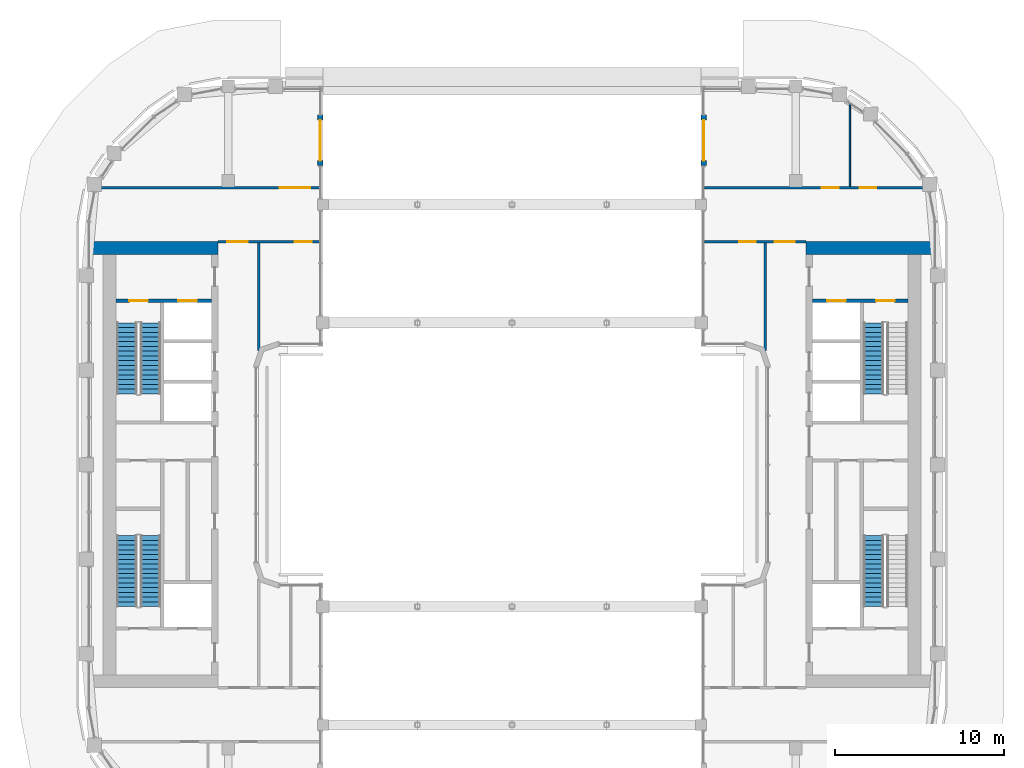
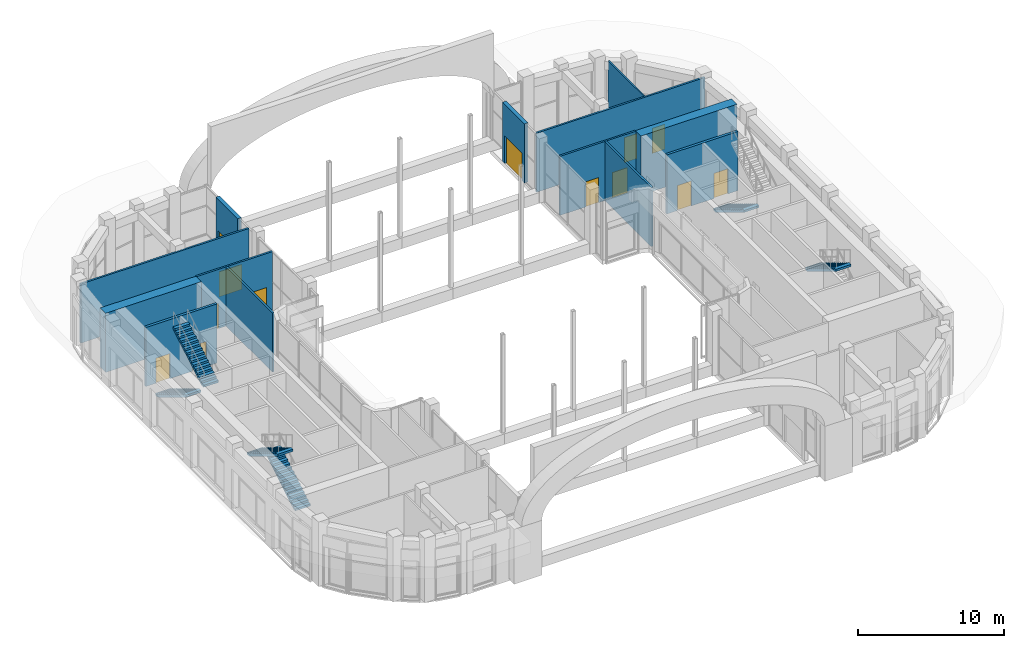
# One storey, part 16 of 26: 13 doors, 13 walls, 6 stair flights, 13 openings, 4 elements without a shape of their own.
"""IFC4 building model written with IfcOpenShell, lengths in metres."""

from ifc_helpers import new_model, si_unit, direction, frame, frame_2d, origin, place, context, subcontext, project, spatial, polyline, rectangle, outline, extrude, material, layer, layer_set, type_object, element, fill, aggregate, save


model = new_model("IFC4")

# Units and contexts
model_context = context("Model", 3, precision=1e-05, world=origin(), true_north=direction((0.0, 1.0)))
body_context = subcontext(model_context, "Body", "Model", "MODEL_VIEW")
ifc_project = project(units=[si_unit("LENGTHUNIT", "METRE"), si_unit("AREAUNIT", "SQUARE_METRE"), si_unit("VOLUMEUNIT", "CUBIC_METRE"), si_unit("PLANEANGLEUNIT", "RADIAN"), si_unit("MASSUNIT", "GRAM", prefix="KILO")], contexts=[model_context])

# Site, building, storey
site_placement = place(None, origin())
site = spatial("IfcSite", under=ifc_project, at=site_placement, CompositionType="ELEMENT")
building_placement = place(site_placement, origin())
building = spatial("IfcBuilding", under=site, at=building_placement, Name="Kiln Ring Residences", CompositionType="ELEMENT")
storey_placement = place(building_placement, frame((0.0, 0.0, 230.89990234375)))
storey = spatial("IfcBuildingStorey", under=building, at=storey_placement, Name="L60", CompositionType="ELEMENT", Elevation=230.89990234375)

# Wall, openings, doors
ifc_material_1 = material(Name="Concrete C40/50", Category="concrete")
ifc_layer_1 = layer(ifc_material_1, 0.199951171875)
ifc_layer_set_1 = layer_set([ifc_layer_1], Name="CORE-WALL-RC200")
wall_type_1 = type_object("IfcWallType", Name="CORE-WALL-RC200", PredefinedType="SHEAR", material=ifc_layer_set_1)
wall_1_placement = place(storey_placement, frame((-17.800048828125, 9.699951171875, 0.0), z_axis=(0.0, 0.0, 1.0), x_axis=(-1.0, 0.0, 0.0)))
wall_1 = element("IfcWall", 1, at=wall_1_placement, inside=storey, type_object=wall_type_1, Name="Core wall west L60 9", PredefinedType="SHEAR", context=body_context, shape_type="SweptSolid", body=[
    extrude(rectangle(XDim=5.64990234375, YDim=0.199951171875, at=frame_2d((2.824951171875, 0.0))), origin(), (0.0, 0.0, 1.0), 4.9501953125),
])
opening_1_placement = place(wall_1_placement, frame((0.85009765625, 0.0, 0.0)))
opening_1 = element("IfcOpeningElement", 2, at=opening_1_placement, cuts=wall_1, Name="Opening L60-CW06", PredefinedType="OPENING", context=body_context, shape_type="SweptSolid", body=[
    extrude(rectangle(XDim=1.10009765625, YDim=2.10009765625, at=frame_2d((0.550048828125, 1.050048828125))), frame((0.0, 0.10986328125, 0.0), z_axis=(0.0, -1.0, 0.0), x_axis=(1.0, 0.0, 0.0)), (0.0, 0.0, 1.0), 0.219970703125),
])
opening_2_placement = place(wall_1_placement, frame((3.75, 0.0, 0.0)))
opening_2 = element("IfcOpeningElement", 3, at=opening_2_placement, cuts=wall_1, Name="Opening L60-CW09", PredefinedType="OPENING", context=body_context, shape_type="SweptSolid", body=[
    extrude(rectangle(XDim=1.10009765625, YDim=2.10009765625, at=frame_2d((0.550048828125, 1.050048828125))), frame((0.0, 0.10986328125, 0.0), z_axis=(0.0, -1.0, 0.0), x_axis=(1.0, 0.0, 0.0)), (0.0, 0.0, 1.0), 0.219970703125),
])
ifc_material_2 = material(Name="Steel door leaf", Category="steel")
door_type_1 = type_object("IfcDoorType", Name="CORE-DOOR-LD", OperationType="DOUBLE_DOOR_SLIDING", PredefinedType="DOOR", material=ifc_material_2)
door_1_placement = place(opening_1_placement, origin())
door_1 = element("IfcDoor", 4, at=door_1_placement, inside=storey, type_object=door_type_1, Name="LD W-FF L60-CW06", OperationType="DOUBLE_DOOR_SLIDING", OverallHeight=2.10009765625, OverallWidth=1.10009765625, PredefinedType="DOOR", context=body_context, shape_type="SweptSolid", body=[
    extrude(rectangle(XDim=1.10009765625, YDim=2.10009765625, at=frame_2d((0.550048828125, 1.050048828125))), frame((0.0, 0.02490234375, 0.0), z_axis=(0.0, -1.0, 0.0), x_axis=(1.0, 0.0, 0.0)), (0.0, 0.0, 1.0), 0.050048828125),
])
fill(opening_1, door_1)
ifc_material_3 = material(Name="Steel door leaf", Category="steel")
door_type_2 = type_object("IfcDoorType", Name="CORE-DOOR-STAIR", OperationType="SINGLE_SWING_LEFT", PredefinedType="DOOR", material=ifc_material_3)
door_2_placement = place(opening_2_placement, origin())
door_2 = element("IfcDoor", 5, at=door_2_placement, inside=storey, type_object=door_type_2, Name="Stair W-STN L60-CW09", OperationType="SINGLE_SWING_LEFT", OverallHeight=2.10009765625, OverallWidth=1.10009765625, PredefinedType="DOOR", context=body_context, shape_type="SweptSolid", body=[
    extrude(rectangle(XDim=1.10009765625, YDim=2.10009765625, at=frame_2d((0.550048828125, 1.050048828125))), frame((0.0, 0.02490234375, 0.0), z_axis=(0.0, -1.0, 0.0), x_axis=(1.0, 0.0, 0.0)), (0.0, 0.0, 1.0), 0.050048828125),
])
fill(opening_2, door_2)

wall_2_placement = place(storey_placement, frame((17.800048828125, 9.699951171875, 0.0), z_axis=(0.0, 0.0, 1.0), x_axis=(1.0, 0.0, 0.0)))
wall_2 = element("IfcWall", 6, at=wall_2_placement, inside=storey, type_object=wall_type_1, Name="Core wall east L60 9", PredefinedType="SHEAR", context=body_context, shape_type="SweptSolid", body=[
    extrude(rectangle(XDim=5.64990234375, YDim=0.199951171875, at=frame_2d((2.824951171875, 0.0))), origin(), (0.0, 0.0, 1.0), 4.9501953125),
])
opening_3_placement = place(wall_2_placement, frame((0.85009765625, 0.0, 0.0)))
opening_3 = element("IfcOpeningElement", 7, at=opening_3_placement, cuts=wall_2, Name="Opening L60-CE06", PredefinedType="OPENING", context=body_context, shape_type="SweptSolid", body=[
    extrude(rectangle(XDim=1.10009765625, YDim=2.10009765625, at=frame_2d((0.550048828125, 1.050048828125))), frame((0.0, 0.10986328125, 0.0), z_axis=(0.0, -1.0, 0.0), x_axis=(1.0, 0.0, 0.0)), (0.0, 0.0, 1.0), 0.219970703125),
])
opening_4_placement = place(wall_2_placement, frame((3.75, 0.0, 0.0)))
opening_4 = element("IfcOpeningElement", 8, at=opening_4_placement, cuts=wall_2, Name="Opening L60-CE09", PredefinedType="OPENING", context=body_context, shape_type="SweptSolid", body=[
    extrude(rectangle(XDim=1.10009765625, YDim=2.10009765625, at=frame_2d((0.550048828125, 1.050048828125))), frame((0.0, 0.10986328125, 0.0), z_axis=(0.0, -1.0, 0.0), x_axis=(1.0, 0.0, 0.0)), (0.0, 0.0, 1.0), 0.219970703125),
])
door_3_placement = place(opening_3_placement, origin())
door_3 = element("IfcDoor", 9, at=door_3_placement, inside=storey, type_object=door_type_1, Name="LD E-FF L60-CE06", OperationType="DOUBLE_DOOR_SLIDING", OverallHeight=2.10009765625, OverallWidth=1.10009765625, PredefinedType="DOOR", context=body_context, shape_type="SweptSolid", body=[
    extrude(rectangle(XDim=1.10009765625, YDim=2.10009765625, at=frame_2d((0.550048828125, 1.050048828125))), frame((0.0, 0.02490234375, 0.0), z_axis=(0.0, -1.0, 0.0), x_axis=(1.0, 0.0, 0.0)), (0.0, 0.0, 1.0), 0.050048828125),
])
fill(opening_3, door_3)
door_4_placement = place(opening_4_placement, origin())
door_4 = element("IfcDoor", 10, at=door_4_placement, inside=storey, type_object=door_type_2, Name="Stair E-STN L60-CE09", OperationType="SINGLE_SWING_RIGHT", OverallHeight=2.10009765625, OverallWidth=1.10009765625, PredefinedType="DOOR", context=body_context, shape_type="SweptSolid", body=[
    extrude(rectangle(XDim=1.10009765625, YDim=2.10009765625, at=frame_2d((0.550048828125, 1.050048828125))), frame((0.0, 0.02490234375, 0.0), z_axis=(0.0, -1.0, 0.0), x_axis=(1.0, 0.0, 0.0)), (0.0, 0.0, 1.0), 0.050048828125),
])
fill(opening_4, door_4)

# Walls
ifc_material_4 = material(Name="Concrete C60/75", Category="concrete")
ifc_layer_2 = layer(ifc_material_4, 0.75)
ifc_layer_set_2 = layer_set([ifc_layer_2], Name="CORE-WALL-RC750")
wall_type_2 = type_object("IfcWallType", Name="CORE-WALL-RC750", PredefinedType="SHEAR", material=ifc_layer_set_2)
for number, where, z_axis, x_axis, name in (
    (11, (-17.39990234375, 12.824951171875, 0.0), (0.0, 0.0, 1.0), (-1.0, 0.0, 0.0), "Core wall west L60 4"),
    (12, (17.39990234375, 12.824951171875, 0.0), (0.0, 0.0, 1.0), (1.0, 0.0, 0.0), "Core wall east L60 4"),
):
    element("IfcWall", number, at=place(storey_placement, frame(where, z_axis=z_axis, x_axis=x_axis)), inside=storey, type_object=wall_type_2, Name=name, PredefinedType="SHEAR", context=body_context, shape_type="SweptSolid", body=[
        extrude(rectangle(XDim=7.60009765625, YDim=0.75, at=frame_2d((3.800048828125, 0.0))), origin(), (0.0, 0.0, 1.0), 4.9501953125),
    ])

# Wall, opening, door
ifc_material_5 = material(Name="Brick masonry, dark clay brick", Category="masonry")
ifc_layer_3 = layer(ifc_material_5, 0.300048828125)
ifc_layer_set_3 = layer_set([ifc_layer_3], Name="EW-300 BRICK WALL")
wall_type_3 = type_object("IfcWallType", Name="EW-300 BRICK WALL", PredefinedType="SOLIDWALL", material=ifc_layer_set_3)
wall_3_placement = place(storey_placement, frame((-11.35009765625, 17.699951171875, 0.0), z_axis=(0.0, 0.0, 1.0), x_axis=(0.0, 1.0, 0.0)))
wall_3 = element("IfcWall", 13, at=wall_3_placement, inside=storey, type_object=wall_type_3, Name="Facade wall L60 2", PredefinedType="SOLIDWALL", context=body_context, shape_type="SweptSolid", body=[
    extrude(rectangle(XDim=3.0, YDim=0.300048828125, at=frame_2d((1.5, 0.0))), origin(), (0.0, 0.0, 1.0), 4.9501953125),
])
opening_5_placement = place(wall_3_placement, frame((0.300048828125, 0.0, 0.0)))
opening_5 = element("IfcOpeningElement", 14, at=opening_5_placement, cuts=wall_3, Name="Opening EL60-2", PredefinedType="OPENING", context=body_context, shape_type="SweptSolid", body=[
    extrude(rectangle(XDim=2.39990234375, YDim=2.300048828125, at=frame_2d((1.199951171875, 1.14990234375))), frame((0.0, 0.159912109375, 0.0), z_axis=(0.0, -1.0, 0.0), x_axis=(1.0, 0.0, 0.0)), (0.0, 0.0, 1.0), 0.320068359375),
])
ifc_material_6 = material(Name="Aluminium and glass", Category="aluminium")
door_type_3 = type_object("IfcDoorType", Name="TERRACE DOOR 2400 x 2300", OperationType="DOUBLE_DOOR_SINGLE_SWING", PredefinedType="DOOR", material=ifc_material_6)
door_5_placement = place(opening_5_placement, origin())
door_5 = element("IfcDoor", 15, at=door_5_placement, inside=storey, type_object=door_type_3, Name="Terrace door EL60-2", OperationType="SINGLE_SWING_LEFT", OverallHeight=2.300048828125, OverallWidth=2.39990234375, PredefinedType="DOOR", context=body_context, shape_type="SweptSolid", body=[
    extrude(rectangle(XDim=2.39990234375, YDim=2.300048828125, at=frame_2d((1.199951171875, 1.14990234375))), frame((0.0, 0.02490234375, 0.0), z_axis=(0.0, -1.0, 0.0), x_axis=(1.0, 0.0, 0.0)), (0.0, 0.0, 1.0), 0.050048828125),
])
fill(opening_5, door_5)

wall_4_placement = place(storey_placement, frame((11.35009765625, 20.699951171875, 0.0), z_axis=(0.0, 0.0, 1.0), x_axis=(0.0, -1.0, 0.0)))
wall_4 = element("IfcWall", 16, at=wall_4_placement, inside=storey, type_object=wall_type_3, Name="Facade wall L60 4", PredefinedType="SOLIDWALL", context=body_context, shape_type="SweptSolid", body=[
    extrude(rectangle(XDim=3.0, YDim=0.300048828125, at=frame_2d((1.5, 0.0))), origin(), (0.0, 0.0, 1.0), 4.9501953125),
])
opening_6_placement = place(wall_4_placement, frame((0.300048828125, 0.0, 0.0)))
opening_6 = element("IfcOpeningElement", 17, at=opening_6_placement, cuts=wall_4, Name="Opening EL60-4", PredefinedType="OPENING", context=body_context, shape_type="SweptSolid", body=[
    extrude(rectangle(XDim=2.39990234375, YDim=2.300048828125, at=frame_2d((1.199951171875, 1.14990234375))), frame((0.0, 0.159912109375, 0.0), z_axis=(0.0, -1.0, 0.0), x_axis=(1.0, 0.0, 0.0)), (0.0, 0.0, 1.0), 0.320068359375),
])
door_6_placement = place(opening_6_placement, origin())
door_6 = element("IfcDoor", 18, at=door_6_placement, inside=storey, type_object=door_type_3, Name="Terrace door EL60-4", OperationType="SINGLE_SWING_LEFT", OverallHeight=2.300048828125, OverallWidth=2.39990234375, PredefinedType="DOOR", context=body_context, shape_type="SweptSolid", body=[
    extrude(rectangle(XDim=2.39990234375, YDim=2.300048828125, at=frame_2d((1.199951171875, 1.14990234375))), frame((0.0, 0.02490234375, 0.0), z_axis=(0.0, -1.0, 0.0), x_axis=(1.0, 0.0, 0.0)), (0.0, 0.0, 1.0), 0.050048828125),
])
fill(opening_6, door_6)

# Wall
ifc_material_7 = material(Name="Gypsum board on steel studs", Category="steel")
ifc_layer_4 = layer(ifc_material_7, 0.10009765625)
ifc_layer_set_4 = layer_set([ifc_layer_4], Name="PARTITION-100")
wall_type_4 = type_object("IfcWallType", Name="PARTITION-100", PredefinedType="PARTITIONING", material=ifc_layer_set_4)
wall_5_placement = place(storey_placement, frame((20.0, 16.47509765625, 0.0), z_axis=(0.0, 0.0, 1.0), x_axis=(0.0, 1.0, 0.0)))
element("IfcWall", 19, at=wall_5_placement, inside=storey, type_object=wall_type_4, Name="Partition 015", PredefinedType="PARTITIONING", context=body_context, shape_type="SweptSolid", body=[
    extrude(rectangle(XDim=4.89111328125, YDim=0.10009765625, at=frame_2d((2.445556640625, 0.0))), origin(), (0.0, 0.0, 1.0), 4.9501953125),
])

# Wall, openings, doors
ifc_material_8 = material(Name="Brick masonry partition", Category="masonry")
ifc_layer_5 = layer(ifc_material_8, 0.14990234375)
ifc_layer_set_5 = layer_set([ifc_layer_5], Name="PARTITION-150-ei60")
wall_type_5 = type_object("IfcWallType", Name="PARTITION-150-ei60", PredefinedType="PARTITIONING", material=ifc_layer_set_5)
wall_6_placement = place(storey_placement, frame((-17.39990234375, 13.199951171875, 0.0), z_axis=(0.0, 0.0, 1.0), x_axis=(1.0, 0.0, 0.0)))
wall_6 = element("IfcWall", 20, at=wall_6_placement, inside=storey, type_object=wall_type_5, Name="Partition 004", PredefinedType="PARTITIONING", context=body_context, shape_type="SweptSolid", body=[
    extrude(rectangle(XDim=6.015869140625, YDim=0.14990234375, at=frame_2d((3.0078125, 0.0))), origin(), (0.0, 0.0, 1.0), 4.9501953125),
])
opening_7_placement = place(wall_6_placement, frame((0.550048828125, 0.0, 0.0)))
opening_7 = element("IfcOpeningElement", 21, at=opening_7_placement, cuts=wall_6, Name="Opening L60-D005", PredefinedType="OPENING", context=body_context, shape_type="SweptSolid", body=[
    extrude(rectangle(XDim=1.199951171875, YDim=2.10009765625, at=frame_2d((0.60009765625, 1.050048828125))), frame((0.0, 0.0849609375, 0.0), z_axis=(0.0, -1.0, 0.0), x_axis=(1.0, 0.0, 0.0)), (0.0, 0.0, 1.0), 0.169921875),
])
opening_8_placement = place(wall_6_placement, frame((4.550048828125, 0.0, 0.0)))
opening_8 = element("IfcOpeningElement", 22, at=opening_8_placement, cuts=wall_6, Name="Opening L60-D006", PredefinedType="OPENING", context=body_context, shape_type="SweptSolid", body=[
    extrude(rectangle(XDim=1.0, YDim=2.10009765625, at=frame_2d((0.5, 1.050048828125))), frame((0.0, 0.0849609375, 0.0), z_axis=(0.0, -1.0, 0.0), x_axis=(1.0, 0.0, 0.0)), (0.0, 0.0, 1.0), 0.169921875),
])
ifc_material_9 = material(Name="Steel faced fire door leaf", Category="steel")
door_type_4 = type_object("IfcDoorType", Name="FLAT-DOOR-1000-FR", OperationType="SINGLE_SWING_LEFT", PredefinedType="DOOR", material=ifc_material_9)
door_7_placement = place(opening_8_placement, origin())
door_7 = element("IfcDoor", 23, at=door_7_placement, inside=storey, type_object=door_type_4, Name="Door L60-D006", OperationType="SINGLE_SWING_RIGHT", OverallHeight=2.10009765625, OverallWidth=1.0, PredefinedType="DOOR", context=body_context, shape_type="SweptSolid", body=[
    extrude(rectangle(XDim=1.0, YDim=2.10009765625, at=frame_2d((0.5, 1.050048828125))), frame((0.0, 0.02490234375, 0.0), z_axis=(0.0, -1.0, 0.0), x_axis=(1.0, 0.0, 0.0)), (0.0, 0.0, 1.0), 0.050048828125),
])
fill(opening_8, door_7)
ifc_material_10 = material(Name="Steel faced fire door leaf", Category="steel")
door_type_5 = type_object("IfcDoorType", Name="FLAT-DOOR-1200-FR", OperationType="SINGLE_SWING_LEFT", PredefinedType="DOOR", material=ifc_material_10)
door_8_placement = place(opening_7_placement, origin())
door_8 = element("IfcDoor", 24, at=door_8_placement, inside=storey, type_object=door_type_5, Name="Door L60-D005", OperationType="SINGLE_SWING_RIGHT", OverallHeight=2.10009765625, OverallWidth=1.199951171875, PredefinedType="DOOR", context=body_context, shape_type="SweptSolid", body=[
    extrude(rectangle(XDim=1.199951171875, YDim=2.10009765625, at=frame_2d((0.60009765625, 1.050048828125))), frame((0.0, 0.02490234375, 0.0), z_axis=(0.0, -1.0, 0.0), x_axis=(1.0, 0.0, 0.0)), (0.0, 0.0, 1.0), 0.050048828125),
])
fill(opening_7, door_8)

wall_7_placement = place(storey_placement, frame((11.384033203125, 13.199951171875, 0.0), z_axis=(0.0, 0.0, 1.0), x_axis=(1.0, 0.0, 0.0)))
wall_7 = element("IfcWall", 25, at=wall_7_placement, inside=storey, type_object=wall_type_5, Name="Partition 005", PredefinedType="PARTITIONING", context=body_context, shape_type="SweptSolid", body=[
    extrude(rectangle(XDim=6.015869140625, YDim=0.14990234375, at=frame_2d((3.0078125, 0.0))), origin(), (0.0, 0.0, 1.0), 4.9501953125),
])
opening_9_placement = place(wall_7_placement, frame((4.166015625, 0.0, 0.0)))
opening_9 = element("IfcOpeningElement", 26, at=opening_9_placement, cuts=wall_7, Name="Opening L60-D001", PredefinedType="OPENING", context=body_context, shape_type="SweptSolid", body=[
    extrude(rectangle(XDim=1.199951171875, YDim=2.10009765625, at=frame_2d((0.60009765625, 1.050048828125))), frame((0.0, 0.0849609375, 0.0), z_axis=(0.0, -1.0, 0.0), x_axis=(1.0, 0.0, 0.0)), (0.0, 0.0, 1.0), 0.169921875),
])
opening_10_placement = place(wall_7_placement, frame((2.055908203125, 0.0, 0.0)))
opening_10 = element("IfcOpeningElement", 27, at=opening_10_placement, cuts=wall_7, Name="Opening L60-D002", PredefinedType="OPENING", context=body_context, shape_type="SweptSolid", body=[
    extrude(rectangle(XDim=1.0, YDim=2.10009765625, at=frame_2d((0.5, 1.050048828125))), frame((0.0, 0.0849609375, 0.0), z_axis=(0.0, -1.0, 0.0), x_axis=(1.0, 0.0, 0.0)), (0.0, 0.0, 1.0), 0.169921875),
])
door_9_placement = place(opening_10_placement, origin())
door_9 = element("IfcDoor", 28, at=door_9_placement, inside=storey, type_object=door_type_4, Name="Door L60-D002", OperationType="SINGLE_SWING_RIGHT", OverallHeight=2.10009765625, OverallWidth=1.0, PredefinedType="DOOR", context=body_context, shape_type="SweptSolid", body=[
    extrude(rectangle(XDim=1.0, YDim=2.10009765625, at=frame_2d((0.5, 1.050048828125))), frame((0.0, 0.02490234375, 0.0), z_axis=(0.0, -1.0, 0.0), x_axis=(1.0, 0.0, 0.0)), (0.0, 0.0, 1.0), 0.050048828125),
])
fill(opening_10, door_9)
door_10_placement = place(opening_9_placement, origin())
door_10 = element("IfcDoor", 29, at=door_10_placement, inside=storey, type_object=door_type_5, Name="Door L60-D001", OperationType="SINGLE_SWING_RIGHT", OverallHeight=2.10009765625, OverallWidth=1.199951171875, PredefinedType="DOOR", context=body_context, shape_type="SweptSolid", body=[
    extrude(rectangle(XDim=1.199951171875, YDim=2.10009765625, at=frame_2d((0.60009765625, 1.050048828125))), frame((0.0, 0.02490234375, 0.0), z_axis=(0.0, -1.0, 0.0), x_axis=(1.0, 0.0, 0.0)), (0.0, 0.0, 1.0), 0.050048828125),
])
fill(opening_9, door_10)

# Wall, opening, door
wall_8_placement = place(storey_placement, frame((-24.719970703125, 16.39990234375, 0.0), z_axis=(0.0, 0.0, 1.0), x_axis=(1.0, 0.0, 0.0)))
wall_8 = element("IfcWall", 30, at=wall_8_placement, inside=storey, type_object=wall_type_5, Name="Partition 006", PredefinedType="PARTITIONING", context=body_context, shape_type="SweptSolid", body=[
    extrude(rectangle(XDim=13.3359375, YDim=0.14990234375, at=frame_2d((6.66796875, 0.0))), origin(), (0.0, 0.0, 1.0), 4.9501953125),
])
opening_11_placement = place(wall_8_placement, frame((10.97998046875, 0.0, 0.0)))
opening_11 = element("IfcOpeningElement", 31, at=opening_11_placement, cuts=wall_8, Name="Opening L60-D007", PredefinedType="OPENING", context=body_context, shape_type="SweptSolid", body=[
    extrude(rectangle(XDim=1.800048828125, YDim=2.10009765625, at=frame_2d((0.89990234375, 1.050048828125))), frame((0.0, 0.0849609375, 0.0), z_axis=(0.0, -1.0, 0.0), x_axis=(1.0, 0.0, 0.0)), (0.0, 0.0, 1.0), 0.169921875),
])
ifc_material_11 = material(Name="Steel faced fire door leaf", Category="steel")
door_type_6 = type_object("IfcDoorType", Name="FLAT-DOOR-1800-FR", OperationType="SINGLE_SWING_LEFT", PredefinedType="DOOR", material=ifc_material_11)
door_11_placement = place(opening_11_placement, origin())
door_11 = element("IfcDoor", 32, at=door_11_placement, inside=storey, type_object=door_type_6, Name="Door L60-D007", OperationType="SINGLE_SWING_LEFT", OverallHeight=2.10009765625, OverallWidth=1.800048828125, PredefinedType="DOOR", context=body_context, shape_type="SweptSolid", body=[
    extrude(rectangle(XDim=1.800048828125, YDim=2.10009765625, at=frame_2d((0.89990234375, 1.050048828125))), frame((0.0, 0.02490234375, 0.0), z_axis=(0.0, -1.0, 0.0), x_axis=(1.0, 0.0, 0.0)), (0.0, 0.0, 1.0), 0.050048828125),
])
fill(opening_11, door_11)

# Wall, openings, doors
wall_9_placement = place(storey_placement, frame((11.384033203125, 16.39990234375, 0.0), z_axis=(0.0, 0.0, 1.0), x_axis=(1.0, 0.0, 0.0)))
wall_9 = element("IfcWall", 33, at=wall_9_placement, inside=storey, type_object=wall_type_5, Name="Partition 007", PredefinedType="PARTITIONING", context=body_context, shape_type="SweptSolid", body=[
    extrude(rectangle(XDim=13.3359375, YDim=0.14990234375, at=frame_2d((6.66796875, 0.0))), origin(), (0.0, 0.0, 1.0), 4.9501953125),
])
opening_12_placement = place(wall_9_placement, frame((6.966064453125, 0.0, 0.0)))
opening_12 = element("IfcOpeningElement", 34, at=opening_12_placement, cuts=wall_9, Name="Opening L60-D003", PredefinedType="OPENING", context=body_context, shape_type="SweptSolid", body=[
    extrude(rectangle(XDim=1.0, YDim=2.10009765625, at=frame_2d((0.5, 1.050048828125))), frame((0.0, 0.0849609375, 0.0), z_axis=(0.0, -1.0, 0.0), x_axis=(1.0, 0.0, 0.0)), (0.0, 0.0, 1.0), 0.169921875),
])
opening_13_placement = place(wall_9_placement, frame((9.193115234375, 0.0, 0.0)))
opening_13 = element("IfcOpeningElement", 35, at=opening_13_placement, cuts=wall_9, Name="Opening L60-D004", PredefinedType="OPENING", context=body_context, shape_type="SweptSolid", body=[
    extrude(rectangle(XDim=1.0, YDim=2.10009765625, at=frame_2d((0.5, 1.050048828125))), frame((0.0, 0.0849609375, 0.0), z_axis=(0.0, -1.0, 0.0), x_axis=(1.0, 0.0, 0.0)), (0.0, 0.0, 1.0), 0.169921875),
])
door_12_placement = place(opening_12_placement, origin())
door_12 = element("IfcDoor", 36, at=door_12_placement, inside=storey, type_object=door_type_4, Name="Door L60-D003", OperationType="SINGLE_SWING_LEFT", OverallHeight=2.10009765625, OverallWidth=1.0, PredefinedType="DOOR", context=body_context, shape_type="SweptSolid", body=[
    extrude(rectangle(XDim=1.0, YDim=2.10009765625, at=frame_2d((0.5, 1.050048828125))), frame((0.0, 0.02490234375, 0.0), z_axis=(0.0, -1.0, 0.0), x_axis=(1.0, 0.0, 0.0)), (0.0, 0.0, 1.0), 0.050048828125),
])
fill(opening_12, door_12)
door_13_placement = place(opening_13_placement, origin())
door_13 = element("IfcDoor", 37, at=door_13_placement, inside=storey, type_object=door_type_4, Name="Door L60-D004", OperationType="SINGLE_SWING_RIGHT", OverallHeight=2.10009765625, OverallWidth=1.0, PredefinedType="DOOR", context=body_context, shape_type="SweptSolid", body=[
    extrude(rectangle(XDim=1.0, YDim=2.10009765625, at=frame_2d((0.5, 1.050048828125))), frame((0.0, 0.02490234375, 0.0), z_axis=(0.0, -1.0, 0.0), x_axis=(1.0, 0.0, 0.0)), (0.0, 0.0, 1.0), 0.050048828125),
])
fill(opening_13, door_13)

# Walls
for number, where, z_axis, x_axis, name in (
    (38, (-15.0, 6.768798828125, 0.0), (0.0, 0.0, 1.0), (0.0, 1.0, 0.0), "Partition 010"),
    (39, (15.0, 6.768798828125, 0.0), (0.0, 0.0, 1.0), (0.0, 1.0, 0.0), "Partition 014"),
):
    element("IfcWall", number, at=place(storey_placement, frame(where, z_axis=z_axis, x_axis=x_axis)), inside=storey, type_object=wall_type_5, Name=name, PredefinedType="PARTITIONING", context=body_context, shape_type="SweptSolid", body=[
        extrude(rectangle(XDim=6.356201171875, YDim=0.14990234375, at=frame_2d((3.17822265625, 0.0))), origin(), (0.0, 0.0, 1.0), 4.9501953125),
    ])

# Stair, stair flights
ifc_material_12 = material(Name="Concrete C40/50", Category="concrete")
stair_type = type_object("IfcStairType", Name="CORE-STAIR", PredefinedType="HALF_TURN_STAIR", material=ifc_material_12)
placement = place(storey_placement, origin())
stair_1 = element("IfcStair", 40, at=placement, inside=storey, type_object=stair_type, Name="L60 stair W-STN", PredefinedType="HALF_TURN_STAIR")
ifc_material_13 = material(Name="Concrete C40/50", Category="concrete")
stair_flight_type = type_object("IfcStairFlightType", Name="CORE-STAIR-FLIGHT", PredefinedType="STRAIGHT", material=ifc_material_13)
stair_flight_1_placement = place(storey_placement, frame((-22.800048828125, 8.39990234375, 0.0), z_axis=(0.0, 0.0, 1.0), x_axis=(0.0, -1.0, 0.0)))
stair_flight_1 = element("IfcStairFlight", 41, at=stair_flight_1_placement, type_object=stair_flight_type, Name="W-STN flight 1", NumberOfRisers=16, NumberOfTreads=15, PredefinedType="STRAIGHT", RiserHeight=0.16875, TreadLength=0.28, context=body_context, shape_type="SweptSolid", body=[
    extrude(outline(polyline([(0.0, 0.0), (0.0, 0.168701171875), (0.280029296875, 0.168701171875), (0.280029296875, 0.33740234375), (0.56005859375, 0.33740234375), (0.56005859375, 0.50634765625), (0.840087890625, 0.50634765625), (0.840087890625, 0.675048828125), (1.1201171875, 0.675048828125), (1.1201171875, 0.84375), (1.39990234375, 0.84375), (1.39990234375, 1.012451171875), (1.679931640625, 1.012451171875), (1.679931640625, 1.18115234375), (1.9599609375, 1.18115234375), (1.9599609375, 1.35009765625), (2.239990234375, 1.35009765625), (2.239990234375, 1.518798828125), (2.52001953125, 1.518798828125), (2.52001953125, 1.6875), (2.800048828125, 1.6875), (2.800048828125, 1.856201171875), (3.080078125, 1.856201171875), (3.080078125, 2.02490234375), (3.360107421875, 2.02490234375), (3.360107421875, 2.19384765625), (3.639892578125, 2.19384765625), (3.639892578125, 2.362548828125), (3.919921875, 2.362548828125), (3.919921875, 2.53125), (4.199951171875, 2.53125), (4.199951171875, 2.699951171875), (4.199951171875, 2.356201171875), (0.29052734375, 0.0), (0.0, 0.0)])), frame((0.0, 0.60009765625, 0.0), z_axis=(0.0, -1.0, 0.0), x_axis=(1.0, 0.0, 0.0)), (0.0, 0.0, 1.0), 1.199951171875),
])
stair_flight_2_placement = place(storey_placement, frame((-21.39990234375, 4.199951171875, 2.7001953125), z_axis=(0.0, 0.0, 1.0), x_axis=(0.0, 1.0, 0.0)))
stair_flight_2 = element("IfcStairFlight", 42, at=stair_flight_2_placement, type_object=stair_flight_type, Name="W-STN flight 2", NumberOfRisers=16, NumberOfTreads=15, PredefinedType="STRAIGHT", RiserHeight=0.16875, TreadLength=0.28, context=body_context, shape_type="SweptSolid", body=[
    extrude(outline(polyline([(0.0, 0.0), (0.0, 0.168701171875), (0.280029296875, 0.168701171875), (0.280029296875, 0.33740234375), (0.56005859375, 0.33740234375), (0.56005859375, 0.50634765625), (0.840087890625, 0.50634765625), (0.840087890625, 0.675048828125), (1.1201171875, 0.675048828125), (1.1201171875, 0.84375), (1.39990234375, 0.84375), (1.39990234375, 1.012451171875), (1.679931640625, 1.012451171875), (1.679931640625, 1.18115234375), (1.9599609375, 1.18115234375), (1.9599609375, 1.35009765625), (2.239990234375, 1.35009765625), (2.239990234375, 1.518798828125), (2.52001953125, 1.518798828125), (2.52001953125, 1.6875), (2.800048828125, 1.6875), (2.800048828125, 1.856201171875), (3.080078125, 1.856201171875), (3.080078125, 2.02490234375), (3.360107421875, 2.02490234375), (3.360107421875, 2.19384765625), (3.639892578125, 2.19384765625), (3.639892578125, 2.362548828125), (3.919921875, 2.362548828125), (3.919921875, 2.53125), (4.199951171875, 2.53125), (4.199951171875, 2.699951171875), (4.199951171875, 2.356201171875), (0.29052734375, 0.0), (0.0, 0.0)])), frame((0.0, 0.60009765625, 0.0), z_axis=(0.0, -1.0, 0.0), x_axis=(1.0, 0.0, 0.0)), (0.0, 0.0, 1.0), 1.199951171875),
])
aggregate(stair_1, [stair_flight_1, stair_flight_2])

stair_2 = element("IfcStair", 43, at=placement, inside=storey, type_object=stair_type, Name="L60 stair W-STS", PredefinedType="HALF_TURN_STAIR")
stair_flight_3_placement = place(storey_placement, frame((-21.39990234375, -8.39990234375, 0.0), z_axis=(0.0, 0.0, 1.0), x_axis=(0.0, 1.0, 0.0)))
stair_flight_3 = element("IfcStairFlight", 44, at=stair_flight_3_placement, type_object=stair_flight_type, Name="W-STS flight 1", NumberOfRisers=16, NumberOfTreads=15, PredefinedType="STRAIGHT", RiserHeight=0.16875, TreadLength=0.28, context=body_context, shape_type="SweptSolid", body=[
    extrude(outline(polyline([(0.0, 0.0), (0.0, 0.168701171875), (0.280029296875, 0.168701171875), (0.280029296875, 0.33740234375), (0.56005859375, 0.33740234375), (0.56005859375, 0.50634765625), (0.840087890625, 0.50634765625), (0.840087890625, 0.675048828125), (1.1201171875, 0.675048828125), (1.1201171875, 0.84375), (1.39990234375, 0.84375), (1.39990234375, 1.012451171875), (1.679931640625, 1.012451171875), (1.679931640625, 1.18115234375), (1.9599609375, 1.18115234375), (1.9599609375, 1.35009765625), (2.239990234375, 1.35009765625), (2.239990234375, 1.518798828125), (2.52001953125, 1.518798828125), (2.52001953125, 1.6875), (2.800048828125, 1.6875), (2.800048828125, 1.856201171875), (3.080078125, 1.856201171875), (3.080078125, 2.02490234375), (3.360107421875, 2.02490234375), (3.360107421875, 2.19384765625), (3.639892578125, 2.19384765625), (3.639892578125, 2.362548828125), (3.919921875, 2.362548828125), (3.919921875, 2.53125), (4.199951171875, 2.53125), (4.199951171875, 2.699951171875), (4.199951171875, 2.356201171875), (0.29052734375, 0.0), (0.0, 0.0)])), frame((0.0, 0.60009765625, 0.0), z_axis=(0.0, -1.0, 0.0), x_axis=(1.0, 0.0, 0.0)), (0.0, 0.0, 1.0), 1.199951171875),
])
stair_flight_4_placement = place(storey_placement, frame((-22.800048828125, -4.199951171875, 2.7001953125), z_axis=(0.0, 0.0, 1.0), x_axis=(0.0, -1.0, 0.0)))
stair_flight_4 = element("IfcStairFlight", 45, at=stair_flight_4_placement, type_object=stair_flight_type, Name="W-STS flight 2", NumberOfRisers=16, NumberOfTreads=15, PredefinedType="STRAIGHT", RiserHeight=0.16875, TreadLength=0.28, context=body_context, shape_type="SweptSolid", body=[
    extrude(outline(polyline([(0.0, 0.0), (0.0, 0.168701171875), (0.280029296875, 0.168701171875), (0.280029296875, 0.33740234375), (0.56005859375, 0.33740234375), (0.56005859375, 0.50634765625), (0.840087890625, 0.50634765625), (0.840087890625, 0.675048828125), (1.1201171875, 0.675048828125), (1.1201171875, 0.84375), (1.39990234375, 0.84375), (1.39990234375, 1.012451171875), (1.679931640625, 1.012451171875), (1.679931640625, 1.18115234375), (1.9599609375, 1.18115234375), (1.9599609375, 1.35009765625), (2.239990234375, 1.35009765625), (2.239990234375, 1.518798828125), (2.52001953125, 1.518798828125), (2.52001953125, 1.6875), (2.800048828125, 1.6875), (2.800048828125, 1.856201171875), (3.080078125, 1.856201171875), (3.080078125, 2.02490234375), (3.360107421875, 2.02490234375), (3.360107421875, 2.19384765625), (3.639892578125, 2.19384765625), (3.639892578125, 2.362548828125), (3.919921875, 2.362548828125), (3.919921875, 2.53125), (4.199951171875, 2.53125), (4.199951171875, 2.699951171875), (4.199951171875, 2.356201171875), (0.29052734375, 0.0), (0.0, 0.0)])), frame((0.0, 0.60009765625, 0.0), z_axis=(0.0, -1.0, 0.0), x_axis=(1.0, 0.0, 0.0)), (0.0, 0.0, 1.0), 1.199951171875),
])
aggregate(stair_2, [stair_flight_3, stair_flight_4])

# Stair, stair flight
stair_3 = element("IfcStair", 46, at=placement, inside=storey, type_object=stair_type, Name="L60 stair E-STN", PredefinedType="HALF_TURN_STAIR")
stair_flight_5_placement = place(storey_placement, frame((21.39990234375, 8.39990234375, 0.0), z_axis=(0.0, 0.0, 1.0), x_axis=(0.0, -1.0, 0.0)))
stair_flight_5 = element("IfcStairFlight", 47, at=stair_flight_5_placement, type_object=stair_flight_type, Name="E-STN flight 1", NumberOfRisers=16, NumberOfTreads=15, PredefinedType="STRAIGHT", RiserHeight=0.16875, TreadLength=0.28, context=body_context, shape_type="SweptSolid", body=[
    extrude(outline(polyline([(0.0, 0.0), (0.0, 0.168701171875), (0.280029296875, 0.168701171875), (0.280029296875, 0.33740234375), (0.56005859375, 0.33740234375), (0.56005859375, 0.50634765625), (0.840087890625, 0.50634765625), (0.840087890625, 0.675048828125), (1.1201171875, 0.675048828125), (1.1201171875, 0.84375), (1.39990234375, 0.84375), (1.39990234375, 1.012451171875), (1.679931640625, 1.012451171875), (1.679931640625, 1.18115234375), (1.9599609375, 1.18115234375), (1.9599609375, 1.35009765625), (2.239990234375, 1.35009765625), (2.239990234375, 1.518798828125), (2.52001953125, 1.518798828125), (2.52001953125, 1.6875), (2.800048828125, 1.6875), (2.800048828125, 1.856201171875), (3.080078125, 1.856201171875), (3.080078125, 2.02490234375), (3.360107421875, 2.02490234375), (3.360107421875, 2.19384765625), (3.639892578125, 2.19384765625), (3.639892578125, 2.362548828125), (3.919921875, 2.362548828125), (3.919921875, 2.53125), (4.199951171875, 2.53125), (4.199951171875, 2.699951171875), (4.199951171875, 2.356201171875), (0.29052734375, 0.0), (0.0, 0.0)])), frame((0.0, 0.60009765625, 0.0), z_axis=(0.0, -1.0, 0.0), x_axis=(1.0, 0.0, 0.0)), (0.0, 0.0, 1.0), 1.199951171875),
])
aggregate(stair_3, [stair_flight_5])

stair_4 = element("IfcStair", 48, at=placement, inside=storey, type_object=stair_type, Name="L60 stair E-STS", PredefinedType="HALF_TURN_STAIR")
stair_flight_6_placement = place(storey_placement, frame((21.39990234375, -4.199951171875, 2.7001953125), z_axis=(0.0, 0.0, 1.0), x_axis=(0.0, -1.0, 0.0)))
stair_flight_6 = element("IfcStairFlight", 49, at=stair_flight_6_placement, type_object=stair_flight_type, Name="E-STS flight 2", NumberOfRisers=16, NumberOfTreads=15, PredefinedType="STRAIGHT", RiserHeight=0.16875, TreadLength=0.28, context=body_context, shape_type="SweptSolid", body=[
    extrude(outline(polyline([(0.0, 0.0), (0.0, 0.168701171875), (0.280029296875, 0.168701171875), (0.280029296875, 0.33740234375), (0.56005859375, 0.33740234375), (0.56005859375, 0.50634765625), (0.840087890625, 0.50634765625), (0.840087890625, 0.675048828125), (1.1201171875, 0.675048828125), (1.1201171875, 0.84375), (1.39990234375, 0.84375), (1.39990234375, 1.012451171875), (1.679931640625, 1.012451171875), (1.679931640625, 1.18115234375), (1.9599609375, 1.18115234375), (1.9599609375, 1.35009765625), (2.239990234375, 1.35009765625), (2.239990234375, 1.518798828125), (2.52001953125, 1.518798828125), (2.52001953125, 1.6875), (2.800048828125, 1.6875), (2.800048828125, 1.856201171875), (3.080078125, 1.856201171875), (3.080078125, 2.02490234375), (3.360107421875, 2.02490234375), (3.360107421875, 2.19384765625), (3.639892578125, 2.19384765625), (3.639892578125, 2.362548828125), (3.919921875, 2.362548828125), (3.919921875, 2.53125), (4.199951171875, 2.53125), (4.199951171875, 2.699951171875), (4.199951171875, 2.356201171875), (0.29052734375, 0.0), (0.0, 0.0)])), frame((0.0, 0.60009765625, 0.0), z_axis=(0.0, -1.0, 0.0), x_axis=(1.0, 0.0, 0.0)), (0.0, 0.0, 1.0), 1.199951171875),
])
aggregate(stair_4, [stair_flight_6])

save(model, "model.ifc")
